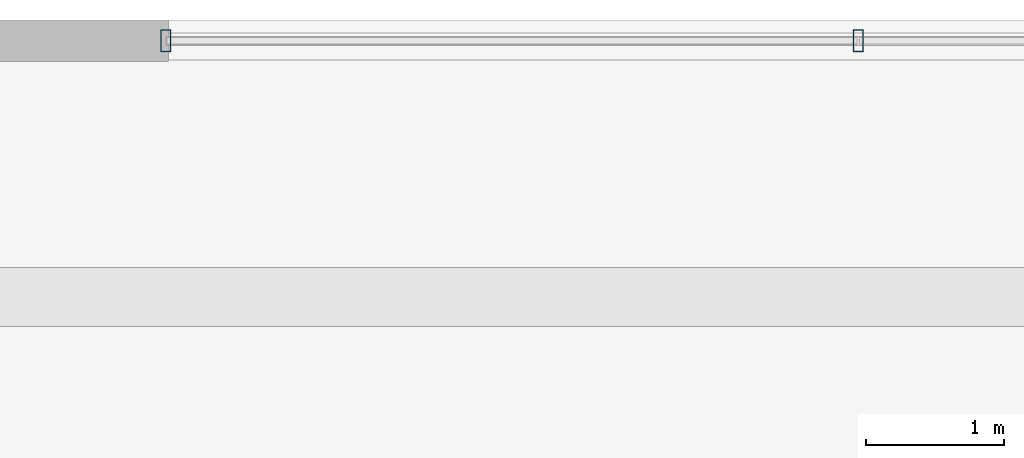
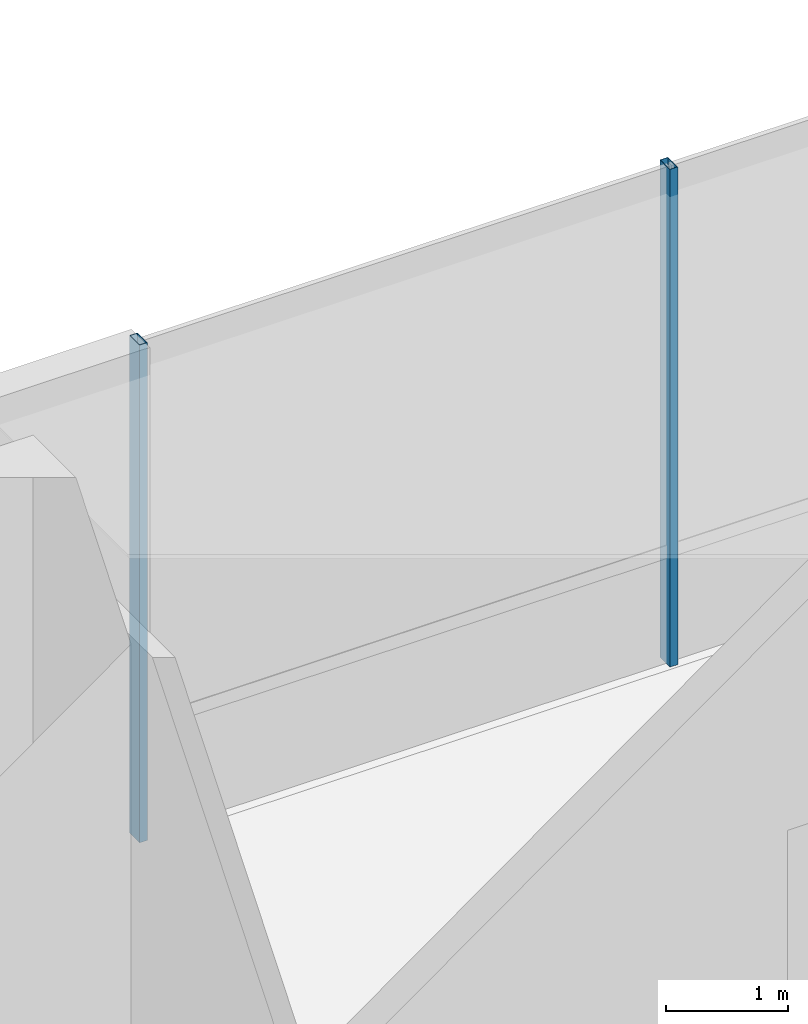
# One storey, part 14 of 41: 2 members, 1 element without a shape of its own.
"""IFC4 building model written with IfcOpenShell, lengths in metres."""

import ifcopenshell
import ifcopenshell.guid

model = None  # the IFC model being written
_history = None  # IfcOwnerHistory: only IFC2X3 demands one
_inside = {}  # id of a spatial element -> (the spatial element, [elements in it])
_under = {}  # id of a project, library or spatial element -> (it, [spatial elements below it])
_declared = {}  # id of a project -> (the project, [libraries it declares])
_typed = {}  # id of a type object -> (the type object, [elements of that type])
_made_of = {}  # id of a material, layer set ... -> (it, [elements and type objects made of it])


def new_model(schema):
    """Start an empty IFC model of exactly this schema.

    Asked for "IFC4X3", IfcOpenShell would pick the latest addendum, in which some entities
    have other attributes; the version numbers below select the first issue.
    IFC2X3 requires an IfcOwnerHistory on every rooted entity: one is made here for all.
    """
    global model, _history
    if schema == "IFC4X3":
        model = ifcopenshell.file(schema_version=(4, 3, 0, 0))
    else:
        model = ifcopenshell.file(schema=schema)
    _inside.clear()
    _under.clear()
    _declared.clear()
    _typed.clear()
    _made_of.clear()
    _history = None
    if model.schema == "IFC2X3":
        org = make("IfcOrganization", Name="unknown")
        user = make(
            "IfcPersonAndOrganization",
            ThePerson=make("IfcPerson", FamilyName="unknown"),
            TheOrganization=org,
        )
        app = make(
            "IfcApplication",
            ApplicationDeveloper=org,
            Version="unknown",
            ApplicationFullName="unknown",
            ApplicationIdentifier="unknown",
        )
        _history = make(
            "IfcOwnerHistory",
            OwningUser=user,
            OwningApplication=app,
            ChangeAction="ADDED",
            CreationDate=0,
        )
    return model


def make(cls, **values):
    """One entity of the class cls with the attributes given. An attribute that is None is left unset."""
    return model.create_entity(
        cls, **{name: value for name, value in values.items() if value is not None}
    )


def rooted(cls, **values):
    """An entity with a GlobalId (a new one), such as an element, a storey or a relation."""
    return make(cls, GlobalId=ifcopenshell.guid.new(), OwnerHistory=_history, **values)


def si_unit(unit_type, name, prefix=None):
    """IfcSIUnit, for example si_unit("LENGTHUNIT", "METRE", prefix="MILLI")."""
    return make("IfcSIUnit", UnitType=unit_type, Prefix=prefix, Name=name)


def assignment(units):
    """IfcUnitAssignment: the units of a project."""
    return None if units is None else make("IfcUnitAssignment", Units=units)


def point(xyz):
    """IfcCartesianPoint."""
    return None if xyz is None else make("IfcCartesianPoint", Coordinates=xyz)


def direction(xyz):
    """IfcDirection."""
    return None if xyz is None else make("IfcDirection", DirectionRatios=xyz)


def frame(location, z_axis=None, x_axis=None):
    """IfcAxis2Placement3D, a coordinate frame: its origin and axes. An axis left out is left unset."""
    return make(
        "IfcAxis2Placement3D",
        Location=point(location),
        Axis=direction(z_axis),
        RefDirection=direction(x_axis),
    )


def frame_2d(location, x_axis=None):
    """IfcAxis2Placement2D, a coordinate frame in the plane: its origin and x axis."""
    return make(
        "IfcAxis2Placement2D", Location=point(location), RefDirection=direction(x_axis)
    )


def origin():
    """The frame at (0, 0, 0) with its axes left unset."""
    return frame((0.0, 0.0, 0.0))


def origin_2d():
    """The frame at (0, 0) in the plane with its x axis left unset."""
    return frame_2d((0.0, 0.0))


def place(relative_to, where):
    """IfcLocalPlacement: puts the frame where relative to a parent placement (None: the world)."""
    return make(
        "IfcLocalPlacement", PlacementRelTo=relative_to, RelativePlacement=where
    )


def context(
    kind, dimensions, precision=None, world=None, true_north=None, identifier=None
):
    """IfcGeometricRepresentationContext, for example the 3D "Model" context."""
    return make(
        "IfcGeometricRepresentationContext",
        ContextIdentifier=identifier,
        ContextType=kind,
        CoordinateSpaceDimension=dimensions,
        Precision=precision,
        WorldCoordinateSystem=world,
        TrueNorth=true_north,
    )


def subcontext(parent, identifier, kind, view, scale=None):
    """IfcGeometricRepresentationSubContext, for example "Body" below "Model"."""
    return make(
        "IfcGeometricRepresentationSubContext",
        ContextIdentifier=identifier,
        ContextType=kind,
        ParentContext=parent,
        TargetScale=scale,
        TargetView=view,
    )


def project(units=None, contexts=None):
    """IfcProject with its units and contexts."""
    return rooted(
        "IfcProject",
        Name="project",
        RepresentationContexts=contexts,
        UnitsInContext=assignment(units),
    )


def spatial(cls, under=None, at=None, **own):
    """A site, building, storey or space (cls), placed at a placement, below another one or the project."""
    s = rooted(cls, ObjectPlacement=at, **own)
    if under is not None:
        _under.setdefault(under.id(), (under, []))[1].append(s)
    return s


def profile(cls, at=None, kind="AREA", **sizes):
    """A parametric profile (cls). Its sizes go by their IFC names, for example OverallWidth=200.0."""
    return make(cls, ProfileType=kind, Position=at, **sizes)


def hollow_rectangle(**sizes):
    """IfcRectangleHollowProfileDef."""
    return profile("IfcRectangleHollowProfileDef", **sizes)


def extrude(swept, where, along, depth):
    """IfcExtrudedAreaSolid: the profile swept, set in the frame where, extruded along a direction by depth."""
    return make(
        "IfcExtrudedAreaSolid",
        SweptArea=swept,
        Position=where,
        ExtrudedDirection=direction(along),
        Depth=depth,
    )


def shape(context_of_items, identifier, shape_type, items):
    """IfcShapeRepresentation: the items that make up one representation, for example the "Body"."""
    return make(
        "IfcShapeRepresentation",
        ContextOfItems=context_of_items,
        RepresentationIdentifier=identifier,
        RepresentationType=shape_type,
        Items=items,
    )


def source(mapping_origin, context_of_items, identifier, shape_type, items):
    """IfcRepresentationMap: a shape defined once, which mapped items show again and again."""
    return make(
        "IfcRepresentationMap",
        MappingOrigin=mapping_origin,
        MappedRepresentation=shape(context_of_items, identifier, shape_type, items),
    )


def transform(
    local_origin,
    x_axis=None,
    y_axis=None,
    z_axis=None,
    scale=None,
    scale2=None,
    scale3=None,
    uniform=True,
):
    """IfcCartesianTransformationOperator3D, or its non-uniform kind. x_axis, y_axis, z_axis: its Axis1, 2, 3."""
    if uniform:
        return make(
            "IfcCartesianTransformationOperator3D",
            Axis1=direction(x_axis),
            Axis2=direction(y_axis),
            LocalOrigin=point(local_origin),
            Scale=scale,
            Axis3=direction(z_axis),
        )
    return make(
        "IfcCartesianTransformationOperator3DnonUniform",
        Axis1=direction(x_axis),
        Axis2=direction(y_axis),
        LocalOrigin=point(local_origin),
        Scale=scale,
        Axis3=direction(z_axis),
        Scale2=scale2,
        Scale3=scale3,
    )


def mapped(mapping_source, mapping_target):
    """IfcMappedItem: shows the shape of a source again, moved by a transform."""
    return make(
        "IfcMappedItem", MappingSource=mapping_source, MappingTarget=mapping_target
    )


def material(Name=None, Category=None):
    """IfcMaterial."""
    return make("IfcMaterial", Name=Name, Category=Category)


def material_profile(
    of_material, cross_section, Name=None, Category=None, Priority=None
):
    """IfcMaterialProfile: a cross section and its material."""
    return make(
        "IfcMaterialProfile",
        Name=Name,
        Material=of_material,
        Profile=cross_section,
        Priority=Priority,
        Category=Category,
    )


def profile_set(profiles, Name=None, composite=None):
    """IfcMaterialProfileSet."""
    return make(
        "IfcMaterialProfileSet",
        Name=Name,
        MaterialProfiles=profiles,
        CompositeProfile=composite,
    )


def made_of(thing, what):
    """Note that an element or type object is made of a material, layer set ...; save() writes the relation."""
    if what is not None:
        _made_of.setdefault(what.id(), (what, []))[1].append(thing)
    return thing


def type_object(cls, material=None, **own):
    """A type object (cls), such as IfcWallType, which elements share."""
    return made_of(rooted(cls, **own), material)


def element(
    cls,
    number,
    at=None,
    inside=None,
    cuts=None,
    type_object=None,
    material=None,
    context=None,
    identifier="Body",
    shape_type=None,
    held_by="IfcProductDefinitionShape",
    body=None,
    shapes=None,
    **own,
):
    """One element of the class cls, such as IfcWall. Its Tag is "e" and its number.

    at: its placement. inside: the storey or other place that contains it. cuts: it is an
    opening in that element (IfcRelVoidsElement). A single representation is given by context,
    identifier, shape_type and body (its items); several are given by shapes. held_by: the class
    of the entity that holds the representations. save() writes the other relations.
    """
    e = rooted(cls, Tag="e%d" % number, ObjectPlacement=at, **own)
    if body is not None:
        shapes = [shape(context, identifier, shape_type, body)]
    if shapes is not None:
        e.Representation = make(held_by, Representations=shapes)
    if inside is not None:
        _inside.setdefault(inside.id(), (inside, []))[1].append(e)
    if cuts is not None:
        rooted(
            "IfcRelVoidsElement", RelatingBuildingElement=cuts, RelatedOpeningElement=e
        )
    if type_object is not None:
        _typed.setdefault(type_object.id(), (type_object, []))[1].append(e)
    return made_of(e, material)


def aggregate(whole, parts):
    """IfcRelAggregates: a whole, such as a stair, and the parts it consists of."""
    return rooted("IfcRelAggregates", RelatingObject=whole, RelatedObjects=parts)


def save(model, path):
    """Write the relations noted so far, then the file.

    IfcRelAggregates (storeys below a building ...), IfcRelContainedInSpatialStructure (elements
    in a storey), IfcRelDefinesByType, IfcRelAssociatesMaterial and IfcRelDeclares: one each for
    every whole, place, type object, material and project.
    """
    for whole, parts in _under.values():
        aggregate(whole, parts)
    for where, things in _inside.values():
        rooted(
            "IfcRelContainedInSpatialStructure",
            RelatedElements=things,
            RelatingStructure=where,
        )
    for kind, things in _typed.values():
        rooted("IfcRelDefinesByType", RelatedObjects=things, RelatingType=kind)
    for what, things in _made_of.values():
        rooted("IfcRelAssociatesMaterial", RelatedObjects=things, RelatingMaterial=what)
    for by, libraries in _declared.values():
        rooted("IfcRelDeclares", RelatingContext=by, RelatedDefinitions=libraries)
    model.write(path)


model = new_model("IFC4")

# Units and contexts
model_context = context("Model", 3, precision=1e-05, world=origin(), true_north=direction((0.0, 1.0)))
body_context = subcontext(model_context, "Body", "Model", "MODEL_VIEW")
ifc_project = project(units=[si_unit("LENGTHUNIT", "METRE"), si_unit("AREAUNIT", "SQUARE_METRE"), si_unit("VOLUMEUNIT", "CUBIC_METRE"), si_unit("PLANEANGLEUNIT", "RADIAN"), si_unit("MASSUNIT", "GRAM", prefix="KILO")], contexts=[model_context])

# Site, building, storey
site_placement = place(None, origin())
site = spatial("IfcSite", under=ifc_project, at=site_placement, CompositionType="ELEMENT")
building_placement = place(site_placement, origin())
building = spatial("IfcBuilding", under=site, at=building_placement, Name="Valdorenza Pilgrim Sanctuary Tower", CompositionType="ELEMENT")
storey_placement = place(building_placement, frame((0.0, 0.0, 20.800048828125)))
storey = spatial("IfcBuildingStorey", under=building, at=storey_placement, Name="L04", CompositionType="ELEMENT", Elevation=20.800048828125)

# Curtain wall, members
ifc_material_1 = material(Name="Curtain-wall IGU glazing", Category="glass")
curtain_wall_type = type_object("IfcCurtainWallType", Name="CW-SYS-01", PredefinedType="NOTDEFINED", material=ifc_material_1)
curtain_wall_placement = place(storey_placement, origin())
curtain_wall = element("IfcCurtainWall", 1, at=curtain_wall_placement, inside=storey, type_object=curtain_wall_type, Name="L04 Curtain Wall CW-POD-L04-NN", PredefinedType="NOTDEFINED")
ifc_material_2 = material(Name="Anodised aluminium AW-6060", Category="aluminium")
ifc_material_profile = material_profile(ifc_material_2, hollow_rectangle(XDim=0.074951171875, YDim=0.159912109375, WallThickness=0.00390625, at=origin_2d()), Name="ALU-M 160x75x4")
ifc_profile_set = profile_set([ifc_material_profile], Name="Anodised aluminium AW-6060")
member_type = type_object("IfcMemberType", Name="CW-MUL-01", PredefinedType="MULLION", material=ifc_profile_set)
shared_shape = source(origin(), body_context, "Body", "SweptSolid", [
    extrude(hollow_rectangle(XDim=0.074951171875, YDim=0.159912109375, WallThickness=0.00390625, at=origin_2d()), origin(), (0.0, 0.0, 1.0), 4.9599609375),
])
member_1_placement = place(storey_placement, frame((-10.0, 22.85009765625, 0.0), z_axis=(0.0, 0.0, 1.0), x_axis=(1.0, 0.0, 0.0)))
member_1 = element("IfcMember", 2, at=member_1_placement, type_object=member_type, Name="CW-POD-L04-NN Mullion 1", PredefinedType="MULLION", context=body_context, shape_type="MappedRepresentation", body=[
    mapped(shared_shape, transform((0.0, 0.0, 0.0), x_axis=(1.0, 0.0, 0.0), y_axis=(0.0, 1.0, 0.0), z_axis=(0.0, 0.0, 1.0), scale=1.0)),
])
member_2_placement = place(storey_placement, frame((-5.0, 22.85009765625, 0.0), z_axis=(0.0, 0.0, 1.0), x_axis=(1.0, 0.0, 0.0)))
member_2 = element("IfcMember", 3, at=member_2_placement, type_object=member_type, Name="CW-POD-L04-NN Mullion 2", PredefinedType="MULLION", context=body_context, shape_type="MappedRepresentation", body=[
    mapped(shared_shape, transform((0.0, 0.0, 0.0), x_axis=(1.0, 0.0, 0.0), y_axis=(0.0, 1.0, 0.0), z_axis=(0.0, 0.0, 1.0), scale=1.0)),
])
aggregate(curtain_wall, [member_1, member_2])

save(model, "model.ifc")
